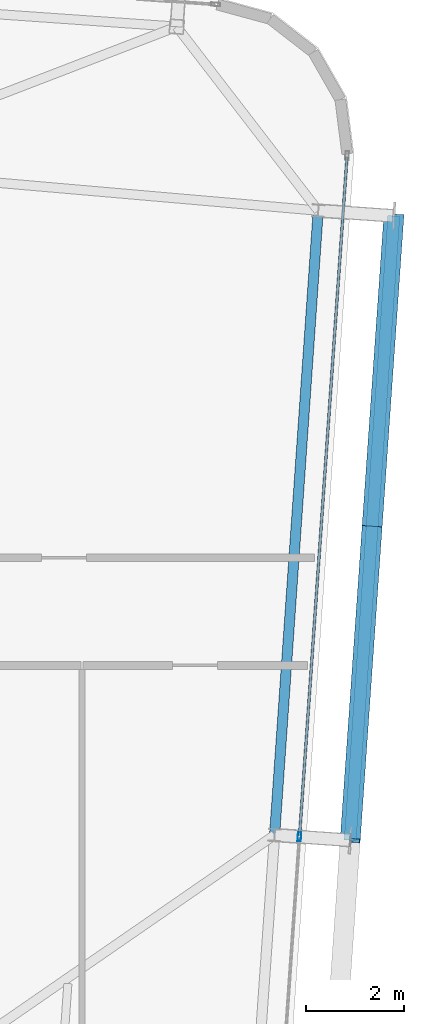
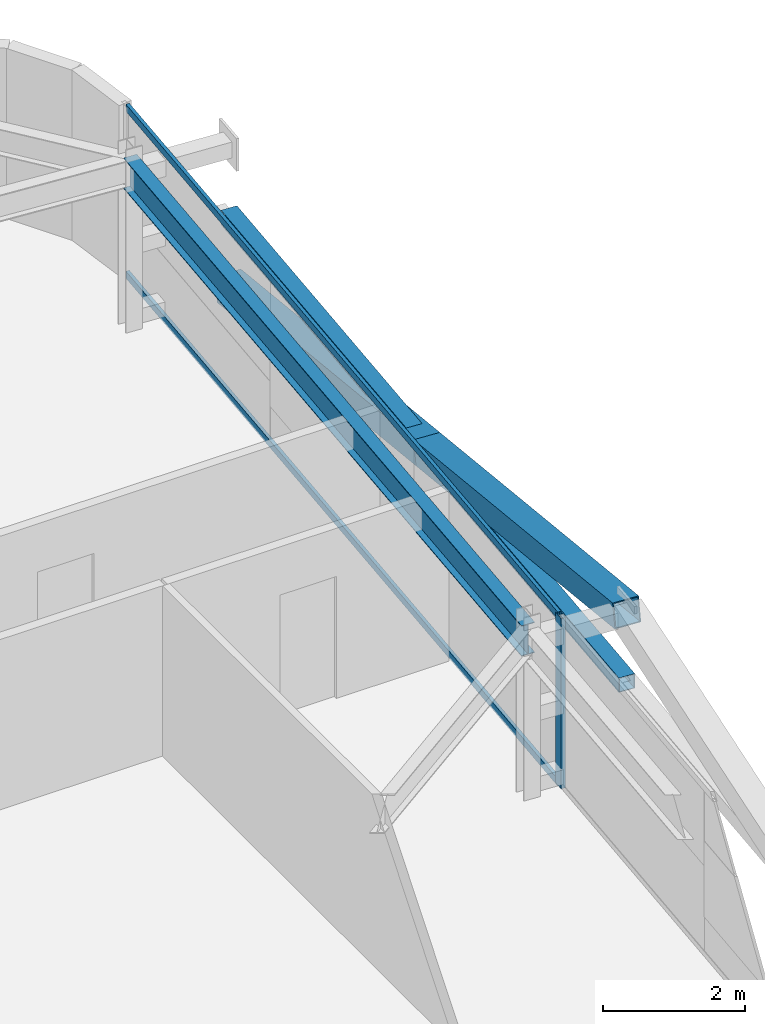
# One storey, part 17 of 39: 6 members, 1 beam, 1 element without a shape of its own.
"""IFC4 building model written with IfcOpenShell, lengths in metres."""

from ifc_helpers import new_model, si_unit, direction, frame, origin, origin_2d, place, context, subcontext, project, spatial, hollow_rectangle, i_section, extrude, source, transform, mapped, material, layer, layer_set, material_profile, profile_set, type_object, element, aggregate, save


model = new_model("IFC4")

# Units and contexts
model_context = context("Model", 3, precision=1e-05, world=origin(), true_north=direction((0.0, 1.0)))
body_context = subcontext(model_context, "Body", "Model", "MODEL_VIEW")
ifc_project = project(units=[si_unit("LENGTHUNIT", "METRE"), si_unit("AREAUNIT", "SQUARE_METRE"), si_unit("VOLUMEUNIT", "CUBIC_METRE"), si_unit("PLANEANGLEUNIT", "RADIAN"), si_unit("MASSUNIT", "GRAM", prefix="KILO")], contexts=[model_context])

# Site, building, storey
site_placement = place(None, origin())
site = spatial("IfcSite", under=ifc_project, at=site_placement, CompositionType="ELEMENT")
building_placement = place(site_placement, origin())
building = spatial("IfcBuilding", under=site, at=building_placement, Name="Taldren Reach Tower", CompositionType="ELEMENT")
storey_placement = place(building_placement, frame((0.0, 0.0, 151.89990234375)))
storey = spatial("IfcBuildingStorey", under=building, at=storey_placement, Name="L46", CompositionType="ELEMENT", Elevation=151.89990234375)

# Beam
ifc_material_1 = material(Name="Steel Gr 350 (350PLUS)", Category="steel")
ifc_material_profile_1 = material_profile(ifc_material_1, i_section(OverallWidth=0.208984375, OverallDepth=0.528076171875, WebThickness=0.009521484375, FlangeThickness=0.01318359375, at=origin_2d()), Name="530UB82.0")
ifc_profile_set_1 = profile_set([ifc_material_profile_1], Name="Steel Gr 350 (350PLUS)")
beam_type = type_object("IfcBeamType", Name="SP-UB530B", PredefinedType="SPANDREL", material=ifc_profile_set_1)
shared_shape_1 = source(origin(), body_context, "Body", "SweptSolid", [
    extrude(i_section(OverallWidth=0.208984375, OverallDepth=0.528076171875, WebThickness=0.009521484375, FlangeThickness=0.01318359375, at=origin_2d()), origin(), (0.0, 0.0, 1.0), 12.800048828125),
])
beam_placement = place(storey_placement, frame((60.438232421875, 18.331787109375, 2.666015625), z_axis=(0.069751876777, 0.9975643717, 0.0), x_axis=(-0.9975643717, 0.069751876777, 0.0)))
element("IfcBeam", 1, at=beam_placement, inside=storey, type_object=beam_type, Name="Perimeter spandrel B3 E2-E3 L46", PredefinedType="SPANDREL", context=body_context, shape_type="MappedRepresentation", body=[
    mapped(shared_shape_1, transform((0.0, 0.0, 0.0), scale=1.0)),
])

# Members
ifc_material_2 = material(Name="Steel Gr 350 (C350L0)", Category="steel")
ifc_material_profile_2 = material_profile(ifc_material_2, hollow_rectangle(XDim=0.25, YDim=0.25, WallThickness=0.010009765625, at=origin_2d()), Name="250x250x10.0SHS")
ifc_profile_set_2 = profile_set([ifc_material_profile_2], Name="Steel Gr 350 (C350L0)")
member_type_1 = type_object("IfcMemberType", Name="MB-POST250", PredefinedType="POST", material=ifc_profile_set_2)
shared_shape_2 = source(origin(), body_context, "Body", "SweptSolid", [
    extrude(hollow_rectangle(XDim=0.25, YDim=0.25, WallThickness=0.010009765625, at=origin_2d()), origin(), (0.0, 0.0, 1.0), 12.800048828125),
])
member_1_placement = place(storey_placement, frame((61.984375, 18.2236328125, 1.43505859375), z_axis=(0.069770857464, 0.997563044348, 0.0), x_axis=(-0.997563044348, 0.069770857464, 0.0)))
element("IfcMember", 2, at=member_1_placement, inside=storey, type_object=member_type_1, Name="Exoskeleton mid-height ring chord B3-E2 L46", PredefinedType="POST", context=body_context, shape_type="MappedRepresentation", body=[
    mapped(shared_shape_2, transform((0.0, 0.0, 0.0), scale=1.0)),
])
ifc_material_3 = material(Name="Steel Gr 450 (C450L0)", Category="steel")
ifc_material_profile_3 = material_profile(ifc_material_3, hollow_rectangle(XDim=0.409912109375, YDim=0.409912109375, WallThickness=0.01611328125, at=origin_2d()), Name="410x410x16.0SHS")
ifc_profile_set_3 = profile_set([ifc_material_profile_3], Name="Steel Gr 450 (C450L0)")
member_type_2 = type_object("IfcMemberType", Name="MB-EXO406", PredefinedType="BRACE", material=ifc_profile_set_3)
shared_shape_3 = source(origin(), body_context, "Body", "SweptSolid", [
    extrude(hollow_rectangle(XDim=0.409912109375, YDim=0.409912109375, WallThickness=0.01611328125, at=origin_2d()), origin(), (0.0, 0.0, 1.0), 6.514404296875),
])
member_2_placement = place(storey_placement, frame((62.87744140625, 30.992431640625, 0.22021484375), z_axis=(-0.068545605936, -0.980063499638, 0.186486022492), x_axis=(0.997563137195, -0.069769529958, 0.0)))
element("IfcMember", 3, at=member_2_placement, inside=storey, type_object=member_type_2, Name="Exoskeleton Diagrid Brace B3-E2 L46", PredefinedType="BRACE", context=body_context, shape_type="MappedRepresentation", body=[
    mapped(shared_shape_3, transform((0.0, 0.0, 0.0), scale=1.0)),
])
shared_shape_4 = source(origin(), body_context, "Body", "SweptSolid", [
    extrude(hollow_rectangle(XDim=0.409912109375, YDim=0.409912109375, WallThickness=0.01611328125, at=origin_2d()), origin(), (0.0, 0.0, 1.0), 6.51416015625),
])
member_3_placement = place(storey_placement, frame((62.430908203125, 24.60791015625, 1.43505859375), z_axis=(-0.068547644544, -0.980055169399, 0.186529046964), x_axis=(0.997562951496, -0.069772185021, 0.0)))
element("IfcMember", 4, at=member_3_placement, inside=storey, type_object=member_type_2, Name="Exoskeleton Diagrid Brace B3-E2 L46", PredefinedType="BRACE", context=body_context, shape_type="MappedRepresentation", body=[
    mapped(shared_shape_4, transform((0.0, 0.0, 0.0), scale=1.0)),
])

# Curtain wall, members
ifc_material_4 = material(Name="Aluminium and Low-E Glass Unitised System", Category="aluminium")
ifc_layer = layer(ifc_material_4, 0.159912109375)
ifc_layer_set = layer_set([ifc_layer], Name="Aluminium and Low-E Glass Unitised System")
curtain_wall_type = type_object("IfcCurtainWallType", Name="CW-SYS-4", PredefinedType="NOTDEFINED", material=ifc_layer_set)
curtain_wall_placement = place(storey_placement, origin())
curtain_wall = element("IfcCurtainWall", 5, at=curtain_wall_placement, inside=storey, type_object=curtain_wall_type, Name="Unitised curtain wall CW-L46-E", PredefinedType="NOTDEFINED")
ifc_material_5 = material(Name="Anodised Aluminium 6063-T6", Category="aluminium")
ifc_material_profile_4 = material_profile(ifc_material_5, hollow_rectangle(XDim=0.070068359375, YDim=0.179931640625, WallThickness=0.00390625, at=origin_2d()), Name="ALU-180x70x4RHS")
ifc_profile_set_4 = profile_set([ifc_material_profile_4], Name="Anodised Aluminium 6063-T6")
member_type_3 = type_object("IfcMemberType", Name="CW-MUL-180", PredefinedType="MULLION", material=ifc_profile_set_4)
shared_shape_5 = source(origin(), body_context, "Body", "SweptSolid", [
    extrude(hollow_rectangle(XDim=0.070068359375, YDim=0.179931640625, WallThickness=0.00390625, at=origin_2d()), origin(), (0.0, 0.0, 1.0), 2.93017578125),
])
member_4_placement = place(storey_placement, frame((60.947021484375, 18.296142578125, 0.0), z_axis=(0.0, 0.0, 1.0), x_axis=(-0.997564052812, 0.069756437251, 0.0)))
member_4 = element("IfcMember", 6, at=member_4_placement, type_object=member_type_3, Name="CW-4 mullion 2", PredefinedType="MULLION", context=body_context, shape_type="MappedRepresentation", body=[
    mapped(shared_shape_5, transform((0.0, 0.0, 0.0), scale=1.0)),
])
ifc_material_profile_5 = material_profile(ifc_material_5, hollow_rectangle(XDim=0.054931640625, YDim=0.1201171875, WallThickness=0.0029296875, at=origin_2d()), Name="ALU-120x55x3RHS")
ifc_profile_set_5 = profile_set([ifc_material_profile_5], Name="Anodised Aluminium 6063-T6")
member_type_4 = type_object("IfcMemberType", Name="CW-TRN-135", PredefinedType="USERDEFINED", material=ifc_profile_set_5)
shared_shape_6 = source(origin(), body_context, "Body", "SweptSolid", [
    extrude(hollow_rectangle(XDim=0.054931640625, YDim=0.1201171875, WallThickness=0.0029296875, at=origin_2d()), origin(), (0.0, 0.0, 1.0), 13.89501953125),
])
member_5_placement = place(storey_placement, frame((60.949462890625, 18.3310546875, 0.027587890625), z_axis=(0.069754817075, 0.997564166104, 0.0), x_axis=(-0.997564166104, 0.069754817075, 0.0)))
member_5 = element("IfcMember", 7, at=member_5_placement, type_object=member_type_4, Name="CW-4 transom 2.1", ObjectType="TRANSOM", PredefinedType="USERDEFINED", context=body_context, shape_type="MappedRepresentation", body=[
    mapped(shared_shape_6, transform((0.0, 0.0, 0.0), scale=1.0)),
])
member_6_placement = place(storey_placement, frame((60.949462890625, 18.3310546875, 2.902587890625), z_axis=(0.069754817075, 0.997564166104, 0.0), x_axis=(-0.997564166104, 0.069754817075, 0.0)))
member_6 = element("IfcMember", 8, at=member_6_placement, type_object=member_type_4, Name="CW-4 transom 2.2", ObjectType="TRANSOM", PredefinedType="USERDEFINED", context=body_context, shape_type="MappedRepresentation", body=[
    mapped(shared_shape_6, transform((0.0, 0.0, 0.0), scale=1.0)),
])
aggregate(curtain_wall, [member_4, member_5, member_6])

save(model, "model.ifc")
